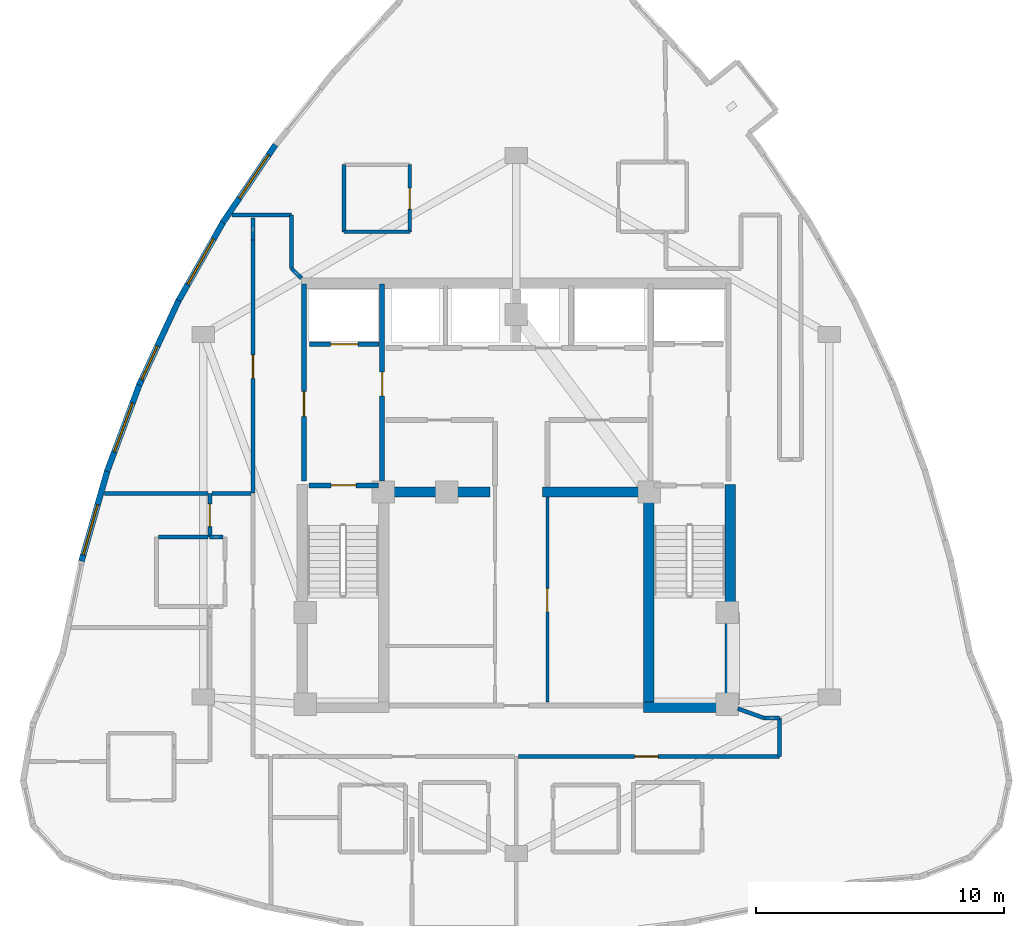
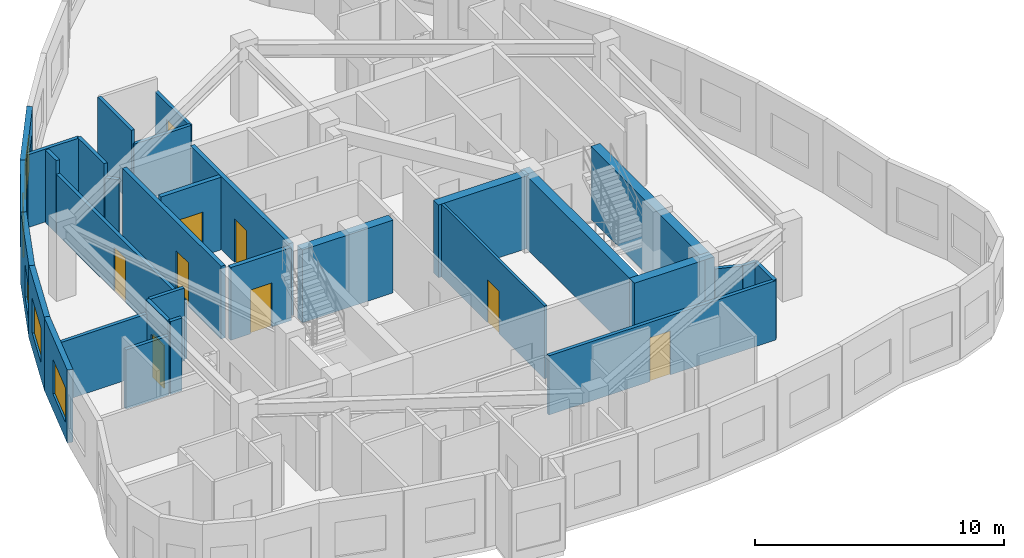
# One storey, part 9 of 13: 32 walls, 9 doors, 5 windows, 14 openings.
"""IFC4 building model written with IfcOpenShell, lengths in metres."""

from ifc_helpers import new_model, si_unit, direction, frame, frame_2d, origin, place, context, subcontext, project, spatial, rectangle, extrude, material, layer, layer_set, type_object, element, fill, save


model = new_model("IFC4")

# Units and contexts
model_context = context("Model", 3, precision=1e-05, world=origin(), true_north=direction((0.0, 1.0)))
body_context = subcontext(model_context, "Body", "Model", "MODEL_VIEW")
ifc_project = project(units=[si_unit("LENGTHUNIT", "METRE"), si_unit("AREAUNIT", "SQUARE_METRE"), si_unit("VOLUMEUNIT", "CUBIC_METRE"), si_unit("PLANEANGLEUNIT", "RADIAN"), si_unit("MASSUNIT", "GRAM", prefix="KILO")], contexts=[model_context])

# Site, building, storey
site_placement = place(None, origin())
site = spatial("IfcSite", under=ifc_project, at=site_placement, CompositionType="ELEMENT")
building_placement = place(site_placement, origin())
building = spatial("IfcBuilding", under=site, at=building_placement, Name="Miruveldt Soraemaru", CompositionType="ELEMENT")
storey_placement = place(building_placement, frame((0.0, 0.0, 255.85009765625)))
storey = spatial("IfcBuildingStorey", under=building, at=storey_placement, Name="L70", CompositionType="ELEMENT", Elevation=255.85009765625)

# Walls
ifc_material_1 = material(Name="Concrete C70/85 (70 MPa)", Category="concrete")
ifc_layer_1 = layer(ifc_material_1, 0.5, Name="Concrete C70/85 (70 MPa)", Category="concrete")
ifc_layer_set_1 = layer_set([ifc_layer_1], Name="Concrete C70/85 (70 MPa)")
wall_type_1 = type_object("IfcWallType", Name="WALL-BW-500", PredefinedType="SHEAR", material=ifc_layer_set_1)
for number, where, z_axis, x_axis, name in (
    (1, (38.75, 44.050048828125, 0.0), (0.0, 0.0, 1.0), (1.0, 0.0, 0.0), "L70 Core Buttress Shear Wall BW"),
    (2, (45.050048828125, 44.050048828125, 0.0), (0.0, 0.0, 1.0), (1.0, 0.0, 0.0), "L70 Core Buttress Shear Wall BE"),
):
    element("IfcWall", number, at=place(storey_placement, frame(where, z_axis=z_axis, x_axis=x_axis)), inside=storey, type_object=wall_type_1, Name=name, PredefinedType="SHEAR", context=body_context, shape_type="SweptSolid", body=[
        extrude(rectangle(XDim=4.199951171875, YDim=0.39990234375, at=frame_2d((2.10009765625, 0.0))), origin(), (0.0, 0.0, 1.0), 3.56494140625),
    ])
ifc_material_2 = material(Name="Concrete C50/60 (50 MPa)", Category="concrete")
ifc_layer_2 = layer(ifc_material_2, 0.419921875, Name="Concrete C50/60 (50 MPa)", Category="concrete")
ifc_layer_set_2 = layer_set([ifc_layer_2], Name="Concrete C50/60 (50 MPa)")
wall_type_2 = type_object("IfcWallType", Name="WALL-CW-420", PredefinedType="SHEAR", material=ifc_layer_set_2)
wall_1_placement = place(storey_placement, frame((49.1298828125, 35.389892578125, 0.0), z_axis=(0.0, 0.0, 1.0), x_axis=(1.0, 0.0, 0.0)))
element("IfcWall", 3, at=wall_1_placement, inside=storey, type_object=wall_type_2, Name="L70 Central Core Shear Wall S2", PredefinedType="SHEAR", context=body_context, shape_type="SweptSolid", body=[
    extrude(rectangle(XDim=3.690185546875, YDim=0.419921875, at=frame_2d((1.84521484375, 0.0))), origin(), (0.0, 0.0, 1.0), 3.56494140625),
])
wall_2_placement = place(storey_placement, frame((52.610107421875, 35.179931640625, 0.0), z_axis=(0.0, 0.0, 1.0), x_axis=(0.0, 1.0, 0.0)))
element("IfcWall", 4, at=wall_2_placement, inside=storey, type_object=wall_type_2, Name="L70 Central Core Shear Wall E1", PredefinedType="SHEAR", context=body_context, shape_type="SweptSolid", body=[
    extrude(rectangle(XDim=9.170166015625, YDim=0.419921875, at=frame_2d((4.5849609375, 0.0))), origin(), (0.0, 0.0, 1.0), 3.56494140625),
])
wall_3_placement = place(storey_placement, frame((49.340087890625, 35.39990234375, 0.0), z_axis=(0.0, 0.0, 1.0), x_axis=(0.0, 1.0, 0.0)))
element("IfcWall", 5, at=wall_3_placement, inside=storey, type_object=wall_type_2, Name="L70 Central Core Shear Wall SE-INT", PredefinedType="SHEAR", context=body_context, shape_type="SweptSolid", body=[
    extrude(rectangle(XDim=8.9501953125, YDim=0.419921875, at=frame_2d((4.47509765625, 0.0))), origin(), (0.0, 0.0, 1.0), 3.56494140625),
])

# Wall, opening, window
ifc_material_3 = material(Name="Precast concrete C45/55 (45 MPa)", Category="concrete")
ifc_layer_3 = layer(ifc_material_3, 0.239990234375, Name="Precast concrete C45/55 (45 MPa)", Category="concrete")
ifc_layer_set_3 = layer_set([ifc_layer_3], Name="Precast concrete C45/55 (45 MPa)")
wall_type_3 = type_object("IfcWallType", Name="WALL-EXT-PC240", PredefinedType="SOLIDWALL", material=ifc_layer_set_3)
wall_4_placement = place(storey_placement, frame((34.304931640625, 58.03369140625, 0.0), z_axis=(0.0, 0.0, 1.0), x_axis=(-0.560812433684, -0.827942881016, 0.0)))
wall_4 = element("IfcWall", 6, at=wall_4_placement, inside=storey, type_object=wall_type_3, Name="L70 Precast Concrete Facade Wall 9", PredefinedType="SOLIDWALL", context=body_context, shape_type="SweptSolid", body=[
    extrude(rectangle(XDim=3.779052734375, YDim=0.239990234375, at=frame_2d((1.8896484375, 0.0))), origin(), (0.0, 0.0, 1.0), 3.56494140625),
])
opening_1_placement = place(wall_4_placement, frame((0.49609375, 0.0, 0.800048828125)))
opening_1 = element("IfcOpeningElement", 7, at=opening_1_placement, cuts=wall_4, Name="Opening WN-1", PredefinedType="OPENING", context=body_context, shape_type="SweptSolid", body=[
    extrude(rectangle(XDim=2.10009765625, YDim=1.699951171875, at=frame_2d((1.050048828125, 0.85009765625))), frame((0.0, 0.1298828125, 0.0), z_axis=(0.0, -1.0, 0.0), x_axis=(1.0, 0.0, 0.0)), (0.0, 0.0, 1.0), 0.260009765625),
])
ifc_material_4 = material(Name="Triple low-e insulated glazing", Category="glass")
window_type_1 = type_object("IfcWindowType", Name="WIN-PUNCH-2100x1700", PartitioningType="SINGLE_PANEL", PredefinedType="WINDOW", material=ifc_material_4)
window_1_placement = place(opening_1_placement, origin())
window_1 = element("IfcWindow", 8, at=window_1_placement, inside=storey, type_object=window_type_1, Name="L70 Punched Triple-Glazed Window 09.1", OverallHeight=1.699951171875, OverallWidth=2.10009765625, PartitioningType="SINGLE_PANEL", PredefinedType="WINDOW", context=body_context, shape_type="SweptSolid", body=[
    extrude(rectangle(XDim=2.10009765625, YDim=1.699951171875, at=frame_2d((1.050048828125, 0.85009765625))), frame((0.0, 0.030029296875, 0.0), z_axis=(0.0, -1.0, 0.0), x_axis=(1.0, 0.0, 0.0)), (0.0, 0.0, 1.0), 0.06005859375),
])
fill(opening_1, window_1)

wall_5_placement = place(storey_placement, frame((32.222412109375, 54.964111328125, 0.0), z_axis=(0.0, 0.0, 1.0), x_axis=(-0.493356990669, -0.869826925174, 0.0)))
wall_5 = element("IfcWall", 9, at=wall_5_placement, inside=storey, type_object=wall_type_3, Name="L70 Precast Concrete Facade Wall 10", PredefinedType="SOLIDWALL", context=body_context, shape_type="SweptSolid", body=[
    extrude(rectangle(XDim=3.75537109375, YDim=0.239990234375, at=frame_2d((1.877685546875, 0.0))), origin(), (0.0, 0.0, 1.0), 3.56494140625),
])
opening_2_placement = place(wall_5_placement, frame((0.827880859375, 0.0, 0.800048828125)))
opening_2 = element("IfcOpeningElement", 10, at=opening_2_placement, cuts=wall_5, Name="Opening WN-1", PredefinedType="OPENING", context=body_context, shape_type="SweptSolid", body=[
    extrude(rectangle(XDim=2.10009765625, YDim=1.699951171875, at=frame_2d((1.050048828125, 0.85009765625))), frame((0.0, 0.1298828125, 0.0), z_axis=(0.0, -1.0, 0.0), x_axis=(1.0, 0.0, 0.0)), (0.0, 0.0, 1.0), 0.260009765625),
])
window_2_placement = place(opening_2_placement, origin())
window_2 = element("IfcWindow", 11, at=window_2_placement, inside=storey, type_object=window_type_1, Name="L70 Punched Triple-Glazed Window 10.1", OverallHeight=1.699951171875, OverallWidth=2.10009765625, PartitioningType="SINGLE_PANEL", PredefinedType="WINDOW", context=body_context, shape_type="SweptSolid", body=[
    extrude(rectangle(XDim=2.10009765625, YDim=1.699951171875, at=frame_2d((1.050048828125, 0.85009765625))), frame((0.0, 0.030029296875, 0.0), z_axis=(0.0, -1.0, 0.0), x_axis=(1.0, 0.0, 0.0)), (0.0, 0.0, 1.0), 0.06005859375),
])
fill(opening_2, window_2)

wall_6_placement = place(storey_placement, frame((30.401611328125, 51.759521484375, 0.0), z_axis=(0.0, 0.0, 1.0), x_axis=(-0.422287495825, -0.906461952246, 0.0)))
wall_6 = element("IfcWall", 12, at=wall_6_placement, inside=storey, type_object=wall_type_3, Name="L70 Precast Concrete Facade Wall 11", PredefinedType="SOLIDWALL", context=body_context, shape_type="SweptSolid", body=[
    extrude(rectangle(XDim=3.755615234375, YDim=0.239990234375, at=frame_2d((1.8779296875, 0.0))), origin(), (0.0, 0.0, 1.0), 3.56494140625),
])
opening_3_placement = place(wall_6_placement, frame((2.01806640625, 0.0, 0.800048828125)))
opening_3 = element("IfcOpeningElement", 13, at=opening_3_placement, cuts=wall_6, Name="Opening WN-3", PredefinedType="OPENING", context=body_context, shape_type="SweptSolid", body=[
    extrude(rectangle(XDim=1.5, YDim=1.60009765625, at=frame_2d((0.75, 0.800048828125))), frame((0.0, 0.1298828125, 0.0), z_axis=(0.0, -1.0, 0.0), x_axis=(1.0, 0.0, 0.0)), (0.0, 0.0, 1.0), 0.260009765625),
])
window_type_2 = type_object("IfcWindowType", Name="WIN-PUNCH-1500x1600", PartitioningType="SINGLE_PANEL", PredefinedType="WINDOW", material=ifc_material_4)
window_3_placement = place(opening_3_placement, origin())
window_3 = element("IfcWindow", 14, at=window_3_placement, inside=storey, type_object=window_type_2, Name="L70 Punched Triple-Glazed Window 11.1", OverallHeight=1.60009765625, OverallWidth=1.5, PartitioningType="SINGLE_PANEL", PredefinedType="WINDOW", context=body_context, shape_type="SweptSolid", body=[
    extrude(rectangle(XDim=1.5, YDim=1.60009765625, at=frame_2d((0.75, 0.800048828125))), frame((0.0, 0.030029296875, 0.0), z_axis=(0.0, -1.0, 0.0), x_axis=(1.0, 0.0, 0.0)), (0.0, 0.0, 1.0), 0.06005859375),
])
fill(opening_3, window_3)

wall_7_placement = place(storey_placement, frame((28.842529296875, 48.419921875, 0.0), z_axis=(0.0, 0.0, 1.0), x_axis=(-0.348984438281, -0.937128519381, 0.0)))
wall_7 = element("IfcWall", 15, at=wall_7_placement, inside=storey, type_object=wall_type_3, Name="L70 Precast Concrete Facade Wall 12", PredefinedType="SOLIDWALL", context=body_context, shape_type="SweptSolid", body=[
    extrude(rectangle(XDim=3.779052734375, YDim=0.239990234375, at=frame_2d((1.8896484375, 0.0))), origin(), (0.0, 0.0, 1.0), 3.56494140625),
])
opening_4_placement = place(wall_7_placement, frame((0.840087890625, 0.0, 0.800048828125)))
opening_4 = element("IfcOpeningElement", 16, at=opening_4_placement, cuts=wall_7, Name="Opening WN-1", PredefinedType="OPENING", context=body_context, shape_type="SweptSolid", body=[
    extrude(rectangle(XDim=2.10009765625, YDim=1.699951171875, at=frame_2d((1.050048828125, 0.85009765625))), frame((0.0, 0.1298828125, 0.0), z_axis=(0.0, -1.0, 0.0), x_axis=(1.0, 0.0, 0.0)), (0.0, 0.0, 1.0), 0.260009765625),
])
window_4_placement = place(opening_4_placement, origin())
window_4 = element("IfcWindow", 17, at=window_4_placement, inside=storey, type_object=window_type_1, Name="L70 Punched Triple-Glazed Window 12.1", OverallHeight=1.699951171875, OverallWidth=2.10009765625, PartitioningType="SINGLE_PANEL", PredefinedType="WINDOW", context=body_context, shape_type="SweptSolid", body=[
    extrude(rectangle(XDim=2.10009765625, YDim=1.699951171875, at=frame_2d((1.050048828125, 0.85009765625))), frame((0.0, 0.030029296875, 0.0), z_axis=(0.0, -1.0, 0.0), x_axis=(1.0, 0.0, 0.0)), (0.0, 0.0, 1.0), 0.06005859375),
])
fill(opening_4, window_4)

wall_8_placement = place(storey_placement, frame((27.54541015625, 44.94482421875, 0.0), z_axis=(0.0, 0.0, 1.0), x_axis=(-0.274982401426, -0.961449259663, 0.0)))
wall_8 = element("IfcWall", 18, at=wall_8_placement, inside=storey, type_object=wall_type_3, Name="L70 Precast Concrete Facade Wall 13", PredefinedType="SOLIDWALL", context=body_context, shape_type="SweptSolid", body=[
    extrude(rectangle(XDim=3.82568359375, YDim=0.239990234375, at=frame_2d((1.912841796875, 0.0))), origin(), (0.0, 0.0, 1.0), 3.56494140625),
])
opening_5_placement = place(wall_8_placement, frame((1.462890625, 0.0, 0.800048828125)))
opening_5 = element("IfcOpeningElement", 19, at=opening_5_placement, cuts=wall_8, Name="Opening WN-1", PredefinedType="OPENING", context=body_context, shape_type="SweptSolid", body=[
    extrude(rectangle(XDim=2.10009765625, YDim=1.699951171875, at=frame_2d((1.050048828125, 0.85009765625))), frame((0.0, 0.1298828125, 0.0), z_axis=(0.0, -1.0, 0.0), x_axis=(1.0, 0.0, 0.0)), (0.0, 0.0, 1.0), 0.260009765625),
])
window_5_placement = place(opening_5_placement, origin())
window_5 = element("IfcWindow", 20, at=window_5_placement, inside=storey, type_object=window_type_1, Name="L70 Punched Triple-Glazed Window 13.1", OverallHeight=1.699951171875, OverallWidth=2.10009765625, PartitioningType="SINGLE_PANEL", PredefinedType="WINDOW", context=body_context, shape_type="SweptSolid", body=[
    extrude(rectangle(XDim=2.10009765625, YDim=1.699951171875, at=frame_2d((1.050048828125, 0.85009765625))), frame((0.0, 0.030029296875, 0.0), z_axis=(0.0, -1.0, 0.0), x_axis=(1.0, 0.0, 0.0)), (0.0, 0.0, 1.0), 0.06005859375),
])
fill(opening_5, window_5)

# Wall, opening, door
ifc_material_5 = material(Name="Gypsum plasterboard lining", Category="gypsum")
ifc_layer_4 = layer(ifc_material_5, 0.1201171875, Name="Gypsum plasterboard lining", Category="gypsum")
ifc_layer_set_4 = layer_set([ifc_layer_4], Name="Gypsum plasterboard lining")
wall_type_4 = type_object("IfcWallType", Name="WALL-INT-P120", PredefinedType="PARTITIONING", material=ifc_layer_set_4)
wall_9_placement = place(storey_placement, frame((45.25, 35.60009765625, 0.0), z_axis=(0.0, 0.0, 1.0), x_axis=(0.0, 1.0, 0.0)))
wall_9 = element("IfcWall", 21, at=wall_9_placement, inside=storey, type_object=wall_type_4, Name="L70 Core Compartment Wall SP-EL", PredefinedType="PARTITIONING", context=body_context, shape_type="SweptSolid", body=[
    extrude(rectangle(XDim=8.25, YDim=0.1201171875, at=frame_2d((4.125, 0.0))), origin(), (0.0, 0.0, 1.0), 3.56494140625),
])
opening_6_placement = place(wall_9_placement, frame((3.625, 0.0, 0.0)))
opening_6 = element("IfcOpeningElement", 22, at=opening_6_placement, cuts=wall_9, Name="Opening D2", PredefinedType="OPENING", context=body_context, shape_type="SweptSolid", body=[
    extrude(rectangle(XDim=0.949951171875, YDim=2.10009765625, at=frame_2d((0.47509765625, 1.050048828125))), frame((0.0, 0.070068359375, 0.0), z_axis=(0.0, -1.0, 0.0), x_axis=(1.0, 0.0, 0.0)), (0.0, 0.0, 1.0), 0.14013671875),
])
ifc_material_6 = material(Name="Anodised aluminium EN AW-6063 T6", Category="aluminium")
door_type_1 = type_object("IfcDoorType", Name="DOOR-INT-950", OperationType="NOTDEFINED", PredefinedType="DOOR", material=ifc_material_6)
door_1_placement = place(opening_6_placement, origin())
door_1 = element("IfcDoor", 23, at=door_1_placement, inside=storey, type_object=door_type_1, Name="L70 Fire Door", OperationType="SINGLE_SWING_LEFT", OverallHeight=2.10009765625, OverallWidth=0.949951171875, PredefinedType="DOOR", context=body_context, shape_type="SweptSolid", body=[
    extrude(rectangle(XDim=0.949951171875, YDim=2.10009765625, at=frame_2d((0.47509765625, 1.050048828125))), frame((0.0, 0.02490234375, 0.0), z_axis=(0.0, -1.0, 0.0), x_axis=(1.0, 0.0, 0.0)), (0.0, 0.0, 1.0), 0.050048828125),
])
fill(opening_6, door_1)

ifc_layer_5 = layer(ifc_material_5, 0.14990234375, Name="Gypsum plasterboard lining", Category="gypsum")
ifc_layer_set_5 = layer_set([ifc_layer_5], Name="Gypsum plasterboard lining")
wall_type_5 = type_object("IfcWallType", Name="WALL-INT-PLUMB", PredefinedType="PLUMBINGWALL", material=ifc_layer_set_5)
wall_10_placement = place(storey_placement, frame((39.716064453125, 54.530029296875, 0.0), z_axis=(0.0, 0.0, 1.0), x_axis=(0.0, 1.0, 0.0)))
wall_10 = element("IfcWall", 24, at=wall_10_placement, inside=storey, type_object=wall_type_5, Name="L70 Partition Wall 13", PredefinedType="PLUMBINGWALL", context=body_context, shape_type="SweptSolid", body=[
    extrude(rectangle(XDim=2.699951171875, YDim=0.14990234375, at=frame_2d((1.35009765625, 0.0))), origin(), (0.0, 0.0, 1.0), 2.90283203125),
])
opening_7_placement = place(wall_10_placement, frame((0.909912109375, 0.0, 0.0)))
opening_7 = element("IfcOpeningElement", 25, at=opening_7_placement, cuts=wall_10, Name="Opening FD3", PredefinedType="OPENING", context=body_context, shape_type="SweptSolid", body=[
    extrude(rectangle(XDim=0.85009765625, YDim=2.10009765625, at=frame_2d((0.425048828125, 1.050048828125))), frame((0.0, 0.0849609375, 0.0), z_axis=(0.0, -1.0, 0.0), x_axis=(1.0, 0.0, 0.0)), (0.0, 0.0, 1.0), 0.169921875),
])
door_type_2 = type_object("IfcDoorType", Name="DOOR-FD3-850", OperationType="NOTDEFINED", PredefinedType="DOOR", material=ifc_material_6)
door_2_placement = place(opening_7_placement, origin())
door_2 = element("IfcDoor", 26, at=door_2_placement, inside=storey, type_object=door_type_2, Name="L70 Unit 7001 BTH Door", OperationType="SINGLE_SWING_RIGHT", OverallHeight=2.10009765625, OverallWidth=0.85009765625, PredefinedType="DOOR", context=body_context, shape_type="SweptSolid", body=[
    extrude(rectangle(XDim=0.85009765625, YDim=2.10009765625, at=frame_2d((0.425048828125, 1.050048828125))), frame((0.0, 0.02490234375, 0.0), z_axis=(0.0, -1.0, 0.0), x_axis=(1.0, 0.0, 0.0)), (0.0, 0.0, 1.0), 0.050048828125),
])
fill(opening_7, door_2)

# Walls
wall_11_placement = place(storey_placement, frame((37.06591796875, 57.22998046875, 0.0), z_axis=(0.0, 0.0, 1.0), x_axis=(0.0, -1.0, 0.0)))
element("IfcWall", 27, at=wall_11_placement, inside=storey, type_object=wall_type_5, Name="L70 Partition Wall 15", PredefinedType="PLUMBINGWALL", context=body_context, shape_type="SweptSolid", body=[
    extrude(rectangle(XDim=2.699951171875, YDim=0.14990234375, at=frame_2d((1.35009765625, 0.0))), origin(), (0.0, 0.0, 1.0), 3.56494140625),
])
wall_12_placement = place(storey_placement, frame((37.06591796875, 54.530029296875, 0.0), z_axis=(0.0, 0.0, 1.0), x_axis=(1.0, 0.0, 0.0)))
element("IfcWall", 28, at=wall_12_placement, inside=storey, type_object=wall_type_5, Name="L70 Partition Wall 16", PredefinedType="PLUMBINGWALL", context=body_context, shape_type="SweptSolid", body=[
    extrude(rectangle(XDim=2.650146484375, YDim=0.14990234375, at=frame_2d((1.3251953125, 0.0))), origin(), (0.0, 0.0, 1.0), 2.90283203125),
])

# Wall, opening, door
ifc_material_7 = material(Name="Concrete C40/50 (40 MPa)", Category="concrete")
ifc_layer_6 = layer(ifc_material_7, 0.159912109375, Name="Concrete C40/50 (40 MPa)", Category="concrete")
ifc_layer_set_6 = layer_set([ifc_layer_6], Name="Concrete C40/50 (40 MPa)")
wall_type_6 = type_object("IfcWallType", Name="WALL-INT-RC160", PredefinedType="SOLIDWALL", material=ifc_layer_set_6)
wall_13_placement = place(storey_placement, frame((44.0869140625, 33.39990234375, 0.0), z_axis=(0.0, 0.0, 1.0), x_axis=(1.0, 0.0, 0.0)))
wall_13 = element("IfcWall", 29, at=wall_13_placement, inside=storey, type_object=wall_type_6, Name="L70 Partition Wall 10", PredefinedType="SOLIDWALL", context=body_context, shape_type="SweptSolid", body=[
    extrude(rectangle(XDim=10.51318359375, YDim=0.159912109375, at=frame_2d((5.256591796875, 0.0))), origin(), (0.0, 0.0, 1.0), 2.90283203125),
])
opening_8_placement = place(wall_13_placement, frame((4.677978515625, 0.0, 0.0)))
opening_8 = element("IfcOpeningElement", 30, at=opening_8_placement, cuts=wall_13, Name="Opening FD2", PredefinedType="OPENING", context=body_context, shape_type="SweptSolid", body=[
    extrude(rectangle(XDim=0.949951171875, YDim=2.14990234375, at=frame_2d((0.47509765625, 1.074951171875))), frame((0.0, 0.08984375, 0.0), z_axis=(0.0, -1.0, 0.0), x_axis=(1.0, 0.0, 0.0)), (0.0, 0.0, 1.0), 0.179931640625),
])
door_type_3 = type_object("IfcDoorType", Name="DOOR-FD2-950", OperationType="NOTDEFINED", PredefinedType="DOOR", material=ifc_material_6)
door_3_placement = place(opening_8_placement, origin())
door_3 = element("IfcDoor", 31, at=door_3_placement, inside=storey, type_object=door_type_3, Name="L70 Unit 7004 Entrance Fire Door", OperationType="SINGLE_SWING_RIGHT", OverallHeight=2.14990234375, OverallWidth=0.949951171875, PredefinedType="DOOR", context=body_context, shape_type="SweptSolid", body=[
    extrude(rectangle(XDim=0.949951171875, YDim=2.14990234375, at=frame_2d((0.47509765625, 1.074951171875))), frame((0.0, 0.02490234375, 0.0), z_axis=(0.0, -1.0, 0.0), x_axis=(1.0, 0.0, 0.0)), (0.0, 0.0, 1.0), 0.050048828125),
])
fill(opening_8, door_3)

wall_14_placement = place(storey_placement, frame((33.39990234375, 54.199951171875, 0.0), z_axis=(0.0, 0.0, 1.0), x_axis=(0.0, -1.0, 0.0)))
wall_14 = element("IfcWall", 32, at=wall_14_placement, inside=storey, type_object=wall_type_6, Name="L70 Partition Wall 4", PredefinedType="SOLIDWALL", context=body_context, shape_type="SweptSolid", body=[
    extrude(rectangle(XDim=10.195068359375, YDim=0.159912109375, at=frame_2d((5.09765625, 0.0))), origin(), (0.0, 0.0, 1.0), 2.90283203125),
])
opening_9_placement = place(wall_14_placement, frame((4.623046875, 0.0, 0.0)))
opening_9 = element("IfcOpeningElement", 33, at=opening_9_placement, cuts=wall_14, Name="Opening FD2", PredefinedType="OPENING", context=body_context, shape_type="SweptSolid", body=[
    extrude(rectangle(XDim=0.949951171875, YDim=2.14990234375, at=frame_2d((0.47509765625, 1.074951171875))), frame((0.0, 0.08984375, 0.0), z_axis=(0.0, -1.0, 0.0), x_axis=(1.0, 0.0, 0.0)), (0.0, 0.0, 1.0), 0.179931640625),
])
door_4_placement = place(opening_9_placement, origin())
door_4 = element("IfcDoor", 34, at=door_4_placement, inside=storey, type_object=door_type_3, Name="L70 Unit 7001 Entrance Fire Door", OperationType="SINGLE_SWING_LEFT", OverallHeight=2.14990234375, OverallWidth=0.949951171875, PredefinedType="DOOR", context=body_context, shape_type="SweptSolid", body=[
    extrude(rectangle(XDim=0.949951171875, YDim=2.14990234375, at=frame_2d((0.47509765625, 1.074951171875))), frame((0.0, 0.02490234375, 0.0), z_axis=(0.0, -1.0, 0.0), x_axis=(1.0, 0.0, 0.0)), (0.0, 0.0, 1.0), 0.050048828125),
])
fill(opening_9, door_4)

wall_15_placement = place(storey_placement, frame((31.662109375, 44.0, 0.0), z_axis=(0.0, 0.0, 1.0), x_axis=(0.0, -1.0, 0.0)))
wall_15 = element("IfcWall", 35, at=wall_15_placement, inside=storey, type_object=wall_type_6, Name="L70 Partition Wall 36", PredefinedType="SOLIDWALL", context=body_context, shape_type="SweptSolid", body=[
    extrude(rectangle(XDim=1.764892578125, YDim=0.159912109375, at=frame_2d((0.88232421875, 0.0))), origin(), (0.0, 0.0, 1.0), 3.56494140625),
])
opening_10_placement = place(wall_15_placement, frame((0.423095703125, 0.0, 0.0)))
opening_10 = element("IfcOpeningElement", 36, at=opening_10_placement, cuts=wall_15, Name="Opening D3A", PredefinedType="OPENING", context=body_context, shape_type="SweptSolid", body=[
    extrude(rectangle(XDim=0.919921875, YDim=2.10009765625, at=frame_2d((0.4599609375, 1.050048828125))), frame((0.0, 0.08984375, 0.0), z_axis=(0.0, -1.0, 0.0), x_axis=(1.0, 0.0, 0.0)), (0.0, 0.0, 1.0), 0.179931640625),
])
door_type_4 = type_object("IfcDoorType", Name="DOOR-INT-920", OperationType="NOTDEFINED", PredefinedType="DOOR", material=ifc_material_6)
door_5_placement = place(opening_10_placement, origin())
door_5 = element("IfcDoor", 37, at=door_5_placement, inside=storey, type_object=door_type_4, Name="L70 Unit 7002 EXT Door", OperationType="SINGLE_SWING_LEFT", OverallHeight=2.10009765625, OverallWidth=0.919921875, PredefinedType="DOOR", context=body_context, shape_type="SweptSolid", body=[
    extrude(rectangle(XDim=0.919921875, YDim=2.10009765625, at=frame_2d((0.4599609375, 1.050048828125))), frame((0.0, 0.02490234375, 0.0), z_axis=(0.0, -1.0, 0.0), x_axis=(1.0, 0.0, 0.0)), (0.0, 0.0, 1.0), 0.050048828125),
])
fill(opening_10, door_5)

# Walls
wall_16_placement = place(storey_placement, frame((27.410888671875, 43.985107421875, 0.0), z_axis=(0.0, 0.0, 1.0), x_axis=(0.999993626242, 0.00357036062, 0.0)))
element("IfcWall", 38, at=wall_16_placement, inside=storey, type_object=wall_type_6, Name="L70 Partition Wall 23", PredefinedType="SOLIDWALL", context=body_context, shape_type="SweptSolid", body=[
    extrude(rectangle(XDim=4.171142578125, YDim=0.159912109375, at=frame_2d((2.08544921875, 0.0))), origin(), (0.0, 0.0, 1.0), 2.90283203125),
])
wall_17_placement = place(storey_placement, frame((34.949951171875, 55.199951171875, 0.0), z_axis=(0.0, 0.0, 1.0), x_axis=(-1.0, 0.0, 0.0)))
element("IfcWall", 39, at=wall_17_placement, inside=storey, type_object=wall_type_6, Name="L70 Partition Wall 2", PredefinedType="SOLIDWALL", context=body_context, shape_type="SweptSolid", body=[
    extrude(rectangle(XDim=2.40087890625, YDim=0.159912109375, at=frame_2d((1.200439453125, 0.0))), origin(), (0.0, 0.0, 1.0), 3.56494140625),
])
wall_18_placement = place(storey_placement, frame((34.949951171875, 53.055908203125, 0.0), z_axis=(0.0, 0.0, 1.0), x_axis=(0.0, 1.0, 0.0)))
element("IfcWall", 40, at=wall_18_placement, inside=storey, type_object=wall_type_6, Name="L70 Partition Wall 1", PredefinedType="SOLIDWALL", context=body_context, shape_type="SweptSolid", body=[
    extrude(rectangle(XDim=2.14404296875, YDim=0.159912109375, at=frame_2d((1.072021484375, 0.0))), origin(), (0.0, 0.0, 1.0), 3.56494140625),
])
wall_19_placement = place(storey_placement, frame((31.58203125, 42.235107421875, 0.0), z_axis=(0.0, 0.0, 1.0), x_axis=(-1.0, 0.0, 0.0)))
element("IfcWall", 41, at=wall_19_placement, inside=storey, type_object=wall_type_6, Name="L70 Partition Wall 43", PredefinedType="SOLIDWALL", context=body_context, shape_type="SweptSolid", body=[
    extrude(rectangle(XDim=1.97900390625, YDim=0.159912109375, at=frame_2d((0.989501953125, 0.0))), origin(), (0.0, 0.0, 1.0), 2.90283203125),
])
wall_20_placement = place(storey_placement, frame((31.741943359375, 44.0, 0.0), z_axis=(0.0, 0.0, 1.0), x_axis=(1.0, 0.0, 0.0)))
element("IfcWall", 42, at=wall_20_placement, inside=storey, type_object=wall_type_6, Name="L70 Partition Wall 22", PredefinedType="SOLIDWALL", context=body_context, shape_type="SweptSolid", body=[
    extrude(rectangle(XDim=1.578125, YDim=0.159912109375, at=frame_2d((0.7890625, 0.0))), origin(), (0.0, 0.0, 1.0), 3.56494140625),
])
wall_21_placement = place(storey_placement, frame((54.60009765625, 33.39990234375, 0.0), z_axis=(0.0, 0.0, 1.0), x_axis=(0.0, 1.0, 0.0)))
element("IfcWall", 43, at=wall_21_placement, inside=storey, type_object=wall_type_6, Name="L70 Partition Wall 11", PredefinedType="SOLIDWALL", context=body_context, shape_type="SweptSolid", body=[
    extrude(rectangle(XDim=1.550048828125, YDim=0.159912109375, at=frame_2d((0.77490234375, 0.0))), origin(), (0.0, 0.0, 1.0), 2.90283203125),
])
wall_22_placement = place(storey_placement, frame((53.97509765625, 34.949951171875, 0.0), z_axis=(0.0, 0.0, 1.0), x_axis=(-0.941555164115, 0.336858832344, 0.0)))
element("IfcWall", 44, at=wall_22_placement, inside=storey, type_object=wall_type_6, Name="L70 Partition Closure Return 3", PredefinedType="SOLIDWALL", context=body_context, shape_type="SweptSolid", body=[
    extrude(rectangle(XDim=1.124755859375, YDim=0.159912109375, at=frame_2d((0.5625, 0.0))), origin(), (0.0, 0.0, 1.0), 2.90283203125),
])
wall_23_placement = place(storey_placement, frame((33.39990234375, 55.076904296875, 0.0), z_axis=(0.0, 0.0, 1.0), x_axis=(0.0, -1.0, 0.0)))
element("IfcWall", 45, at=wall_23_placement, inside=storey, type_object=wall_type_6, Name="L70 Partition Wall 3", PredefinedType="SOLIDWALL", context=body_context, shape_type="SweptSolid", body=[
    extrude(rectangle(XDim=0.8740234375, YDim=0.159912109375, at=frame_2d((0.43701171875, 0.0))), origin(), (0.0, 0.0, 1.0), 3.56494140625),
])
wall_24_placement = place(storey_placement, frame((54.60009765625, 34.949951171875, 0.0), z_axis=(0.0, 0.0, 1.0), x_axis=(-1.0, 0.0, 0.0)))
element("IfcWall", 46, at=wall_24_placement, inside=storey, type_object=wall_type_6, Name="L70 Partition Wall 12", PredefinedType="SOLIDWALL", context=body_context, shape_type="SweptSolid", body=[
    extrude(rectangle(XDim=0.625, YDim=0.159912109375, at=frame_2d((0.3125, 0.0))), origin(), (0.0, 0.0, 1.0), 2.90283203125),
])
wall_25_placement = place(storey_placement, frame((34.949951171875, 53.055908203125, 0.0), z_axis=(0.0, 0.0, 1.0), x_axis=(0.710783358793, -0.703410987164, 0.0)))
element("IfcWall", 47, at=wall_25_placement, inside=storey, type_object=wall_type_6, Name="L70 Partition Closure Return 2", PredefinedType="SOLIDWALL", context=body_context, shape_type="SweptSolid", body=[
    extrude(rectangle(XDim=0.56298828125, YDim=0.159912109375, at=frame_2d((0.281494140625, 0.0))), origin(), (0.0, 0.0, 1.0), 2.90283203125),
])
wall_26_placement = place(storey_placement, frame((32.193115234375, 42.235107421875, 0.0), z_axis=(0.0, 0.0, 1.0), x_axis=(-1.0, 0.0, 0.0)))
element("IfcWall", 48, at=wall_26_placement, inside=storey, type_object=wall_type_6, Name="L70 Partition Wall 31", PredefinedType="SOLIDWALL", context=body_context, shape_type="SweptSolid", body=[
    extrude(rectangle(XDim=0.541015625, YDim=0.159912109375, at=frame_2d((0.2705078125, 0.0))), origin(), (0.0, 0.0, 1.0), 3.56494140625),
])

# Wall, opening, door
ifc_layer_7 = layer(ifc_material_7, 0.199951171875, Name="Concrete C40/50 (40 MPa)", Category="concrete")
ifc_layer_set_7 = layer_set([ifc_layer_7], Name="Concrete C40/50 (40 MPa)")
wall_type_7 = type_object("IfcWallType", Name="WALL-INT-RC200", PredefinedType="SOLIDWALL", material=ifc_layer_set_7)
wall_27_placement = place(storey_placement, frame((35.449951171875, 44.5, 0.0), z_axis=(0.0, 0.0, 1.0), x_axis=(0.0, 1.0, 0.0)))
wall_27 = element("IfcWall", 49, at=wall_27_placement, inside=storey, type_object=wall_type_7, Name="L70 Core Compartment Wall FFW-OUT", PredefinedType="SOLIDWALL", context=body_context, shape_type="SweptSolid", body=[
    extrude(rectangle(XDim=7.919921875, YDim=0.199951171875, at=frame_2d((3.9599609375, 0.0))), origin(), (0.0, 0.0, 1.0), 3.56494140625),
])
opening_11_placement = place(wall_27_placement, frame((2.60009765625, 0.0, 0.0)))
opening_11 = element("IfcOpeningElement", 50, at=opening_11_placement, cuts=wall_27, Name="Opening FD1", PredefinedType="OPENING", context=body_context, shape_type="SweptSolid", body=[
    extrude(rectangle(XDim=1.0, YDim=2.14990234375, at=frame_2d((0.5, 1.074951171875))), frame((0.0, 0.10986328125, 0.0), z_axis=(0.0, -1.0, 0.0), x_axis=(1.0, 0.0, 0.0)), (0.0, 0.0, 1.0), 0.219970703125),
])
door_type_5 = type_object("IfcDoorType", Name="DOOR-FD1-1000", OperationType="NOTDEFINED", PredefinedType="DOOR", material=ifc_material_6)
door_6_placement = place(opening_11_placement, origin())
door_6 = element("IfcDoor", 51, at=door_6_placement, inside=storey, type_object=door_type_5, Name="L70 West Firefighting Lobby Exit Door", OperationType="SINGLE_SWING_LEFT", OverallHeight=2.14990234375, OverallWidth=1.0, PredefinedType="DOOR", context=body_context, shape_type="SweptSolid", body=[
    extrude(rectangle(XDim=1.0, YDim=2.14990234375, at=frame_2d((0.5, 1.074951171875))), frame((0.0, 0.02490234375, 0.0), z_axis=(0.0, -1.0, 0.0), x_axis=(1.0, 0.0, 0.0)), (0.0, 0.0, 1.0), 0.050048828125),
])
fill(opening_11, door_6)

wall_28_placement = place(storey_placement, frame((38.60009765625, 44.5, 0.0), z_axis=(0.0, 0.0, 1.0), x_axis=(0.0, 1.0, 0.0)))
wall_28 = element("IfcWall", 52, at=wall_28_placement, inside=storey, type_object=wall_type_7, Name="L70 Core Compartment Wall FFW-IN", PredefinedType="SOLIDWALL", context=body_context, shape_type="SweptSolid", body=[
    extrude(rectangle(XDim=7.919921875, YDim=0.199951171875, at=frame_2d((3.9599609375, 0.0))), origin(), (0.0, 0.0, 1.0), 3.56494140625),
])
opening_12_placement = place(wall_28_placement, frame((3.425048828125, 0.0, 0.0)))
opening_12 = element("IfcOpeningElement", 53, at=opening_12_placement, cuts=wall_28, Name="Opening FD2", PredefinedType="OPENING", context=body_context, shape_type="SweptSolid", body=[
    extrude(rectangle(XDim=0.949951171875, YDim=2.14990234375, at=frame_2d((0.47509765625, 1.074951171875))), frame((0.0, 0.10986328125, 0.0), z_axis=(0.0, -1.0, 0.0), x_axis=(1.0, 0.0, 0.0)), (0.0, 0.0, 1.0), 0.219970703125),
])
door_7_placement = place(opening_12_placement, frame((0.949951171875, 0.0, 0.0), z_axis=(0.0, 0.0, 1.0), x_axis=(-1.0, 0.0, 0.0)))
door_7 = element("IfcDoor", 54, at=door_7_placement, inside=storey, type_object=door_type_3, Name="L70 Lift Lobby to West Fire Lobby Door", OperationType="SINGLE_SWING_RIGHT", OverallHeight=2.14990234375, OverallWidth=0.949951171875, PredefinedType="DOOR", context=body_context, shape_type="SweptSolid", body=[
    extrude(rectangle(XDim=0.949951171875, YDim=2.14990234375, at=frame_2d((0.47509765625, 1.074951171875))), frame((0.0, 0.02490234375, 0.0), z_axis=(0.0, -1.0, 0.0), x_axis=(1.0, 0.0, 0.0)), (0.0, 0.0, 1.0), 0.050048828125),
])
fill(opening_12, door_7)

wall_29_placement = place(storey_placement, frame((35.64990234375, 44.320068359375, 0.0), z_axis=(0.0, 0.0, 1.0), x_axis=(1.0, 0.0, 0.0)))
wall_29 = element("IfcWall", 55, at=wall_29_placement, inside=storey, type_object=wall_type_7, Name="L70 Core Compartment Wall ST1-N", PredefinedType="SOLIDWALL", context=body_context, shape_type="SweptSolid", body=[
    extrude(rectangle(XDim=2.800048828125, YDim=0.199951171875, at=frame_2d((1.39990234375, 0.0))), origin(), (0.0, 0.0, 1.0), 3.56494140625),
])
opening_13_placement = place(wall_29_placement, frame((0.89990234375, 0.0, 0.0)))
opening_13 = element("IfcOpeningElement", 56, at=opening_13_placement, cuts=wall_29, Name="Opening FD1", PredefinedType="OPENING", context=body_context, shape_type="SweptSolid", body=[
    extrude(rectangle(XDim=1.0, YDim=2.14990234375, at=frame_2d((0.5, 1.074951171875))), frame((0.0, 0.10986328125, 0.0), z_axis=(0.0, -1.0, 0.0), x_axis=(1.0, 0.0, 0.0)), (0.0, 0.0, 1.0), 0.219970703125),
])
door_8_placement = place(opening_13_placement, frame((1.0, 0.0, 0.0), z_axis=(0.0, 0.0, 1.0), x_axis=(-1.0, 0.0, 0.0)))
door_8 = element("IfcDoor", 57, at=door_8_placement, inside=storey, type_object=door_type_5, Name="L70 Stair ST-1 Fire Door", OperationType="SINGLE_SWING_LEFT", OverallHeight=2.14990234375, OverallWidth=1.0, PredefinedType="DOOR", context=body_context, shape_type="SweptSolid", body=[
    extrude(rectangle(XDim=1.0, YDim=2.14990234375, at=frame_2d((0.5, 1.074951171875))), frame((0.0, 0.02490234375, 0.0), z_axis=(0.0, -1.0, 0.0), x_axis=(1.0, 0.0, 0.0)), (0.0, 0.0, 1.0), 0.050048828125),
])
fill(opening_13, door_8)

wall_30_placement = place(storey_placement, frame((35.679931640625, 50.0, 0.0), z_axis=(0.0, 0.0, 1.0), x_axis=(1.0, 0.0, 0.0)))
wall_30 = element("IfcWall", 58, at=wall_30_placement, inside=storey, type_object=wall_type_7, Name="L70 Core Compartment Wall FFL1-S", PredefinedType="SOLIDWALL", context=body_context, shape_type="SweptSolid", body=[
    extrude(rectangle(XDim=2.800048828125, YDim=0.199951171875, at=frame_2d((1.39990234375, 0.0))), origin(), (0.0, 0.0, 1.0), 3.56494140625),
])
opening_14_placement = place(wall_30_placement, frame((0.85009765625, 0.0, 0.0)))
opening_14 = element("IfcOpeningElement", 59, at=opening_14_placement, cuts=wall_30, Name="Opening LD2", PredefinedType="OPENING", context=body_context, shape_type="SweptSolid", body=[
    extrude(rectangle(XDim=1.10009765625, YDim=2.14990234375, at=frame_2d((0.550048828125, 1.074951171875))), frame((0.0, 0.10986328125, 0.0), z_axis=(0.0, -1.0, 0.0), x_axis=(1.0, 0.0, 0.0)), (0.0, 0.0, 1.0), 0.219970703125),
])
door_type_6 = type_object("IfcDoorType", Name="DOOR-LD2-1100", OperationType="SLIDING_TO_LEFT", PredefinedType="DOOR", material=ifc_material_6)
door_9_placement = place(opening_14_placement, origin())
door_9 = element("IfcDoor", 60, at=door_9_placement, inside=storey, type_object=door_type_6, Name="L70 FFL-1 Landing Door", OperationType="SLIDING_TO_LEFT", OverallHeight=2.14990234375, OverallWidth=1.10009765625, PredefinedType="DOOR", context=body_context, shape_type="SweptSolid", body=[
    extrude(rectangle(XDim=1.10009765625, YDim=2.14990234375, at=frame_2d((0.550048828125, 1.074951171875))), frame((0.0, 0.02490234375, 0.0), z_axis=(0.0, -1.0, 0.0), x_axis=(1.0, 0.0, 0.0)), (0.0, 0.0, 1.0), 0.050048828125),
])
fill(opening_14, door_9)

save(model, "model.ifc")
